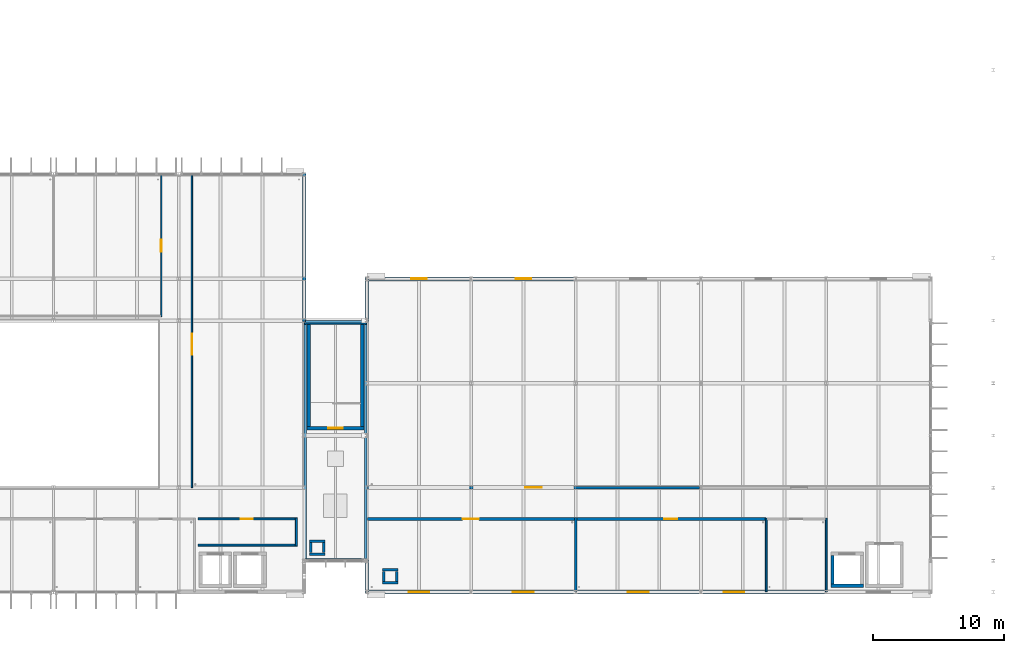
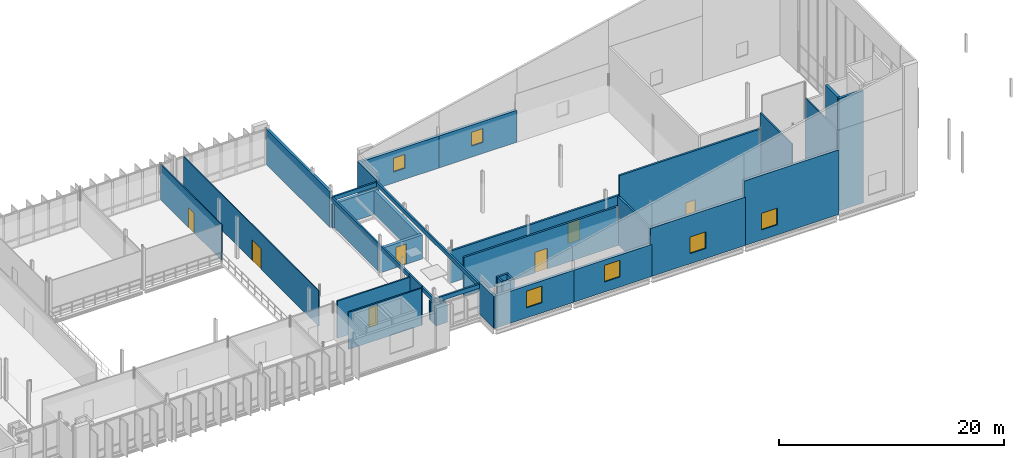
# One storey, part 34 of 59: 38 walls, 7 doors, 6 windows, 13 openings.
"""IFC4 building model written with IfcOpenShell, lengths in metres."""

import ifcopenshell
import ifcopenshell.guid

model = None  # the IFC model being written
_history = None  # IfcOwnerHistory: only IFC2X3 demands one
_inside = {}  # id of a spatial element -> (the spatial element, [elements in it])
_under = {}  # id of a project, library or spatial element -> (it, [spatial elements below it])
_declared = {}  # id of a project -> (the project, [libraries it declares])
_typed = {}  # id of a type object -> (the type object, [elements of that type])
_made_of = {}  # id of a material, layer set ... -> (it, [elements and type objects made of it])


def new_model(schema):
    """Start an empty IFC model of exactly this schema.

    Asked for "IFC4X3", IfcOpenShell would pick the latest addendum, in which some entities
    have other attributes; the version numbers below select the first issue.
    IFC2X3 requires an IfcOwnerHistory on every rooted entity: one is made here for all.
    """
    global model, _history
    if schema == "IFC4X3":
        model = ifcopenshell.file(schema_version=(4, 3, 0, 0))
    else:
        model = ifcopenshell.file(schema=schema)
    _inside.clear()
    _under.clear()
    _declared.clear()
    _typed.clear()
    _made_of.clear()
    _history = None
    if model.schema == "IFC2X3":
        org = make("IfcOrganization", Name="unknown")
        user = make(
            "IfcPersonAndOrganization",
            ThePerson=make("IfcPerson", FamilyName="unknown"),
            TheOrganization=org,
        )
        app = make(
            "IfcApplication",
            ApplicationDeveloper=org,
            Version="unknown",
            ApplicationFullName="unknown",
            ApplicationIdentifier="unknown",
        )
        _history = make(
            "IfcOwnerHistory",
            OwningUser=user,
            OwningApplication=app,
            ChangeAction="ADDED",
            CreationDate=0,
        )
    return model


def make(cls, **values):
    """One entity of the class cls with the attributes given. An attribute that is None is left unset."""
    return model.create_entity(
        cls, **{name: value for name, value in values.items() if value is not None}
    )


def rooted(cls, **values):
    """An entity with a GlobalId (a new one), such as an element, a storey or a relation."""
    return make(cls, GlobalId=ifcopenshell.guid.new(), OwnerHistory=_history, **values)


def si_unit(unit_type, name, prefix=None):
    """IfcSIUnit, for example si_unit("LENGTHUNIT", "METRE", prefix="MILLI")."""
    return make("IfcSIUnit", UnitType=unit_type, Prefix=prefix, Name=name)


def assignment(units):
    """IfcUnitAssignment: the units of a project."""
    return None if units is None else make("IfcUnitAssignment", Units=units)


def point(xyz):
    """IfcCartesianPoint."""
    return None if xyz is None else make("IfcCartesianPoint", Coordinates=xyz)


def direction(xyz):
    """IfcDirection."""
    return None if xyz is None else make("IfcDirection", DirectionRatios=xyz)


def frame(location, z_axis=None, x_axis=None):
    """IfcAxis2Placement3D, a coordinate frame: its origin and axes. An axis left out is left unset."""
    return make(
        "IfcAxis2Placement3D",
        Location=point(location),
        Axis=direction(z_axis),
        RefDirection=direction(x_axis),
    )


def frame_2d(location, x_axis=None):
    """IfcAxis2Placement2D, a coordinate frame in the plane: its origin and x axis."""
    return make(
        "IfcAxis2Placement2D", Location=point(location), RefDirection=direction(x_axis)
    )


def origin():
    """The frame at (0, 0, 0) with its axes left unset."""
    return frame((0.0, 0.0, 0.0))


def place(relative_to, where):
    """IfcLocalPlacement: puts the frame where relative to a parent placement (None: the world)."""
    return make(
        "IfcLocalPlacement", PlacementRelTo=relative_to, RelativePlacement=where
    )


def context(
    kind, dimensions, precision=None, world=None, true_north=None, identifier=None
):
    """IfcGeometricRepresentationContext, for example the 3D "Model" context."""
    return make(
        "IfcGeometricRepresentationContext",
        ContextIdentifier=identifier,
        ContextType=kind,
        CoordinateSpaceDimension=dimensions,
        Precision=precision,
        WorldCoordinateSystem=world,
        TrueNorth=true_north,
    )


def subcontext(parent, identifier, kind, view, scale=None):
    """IfcGeometricRepresentationSubContext, for example "Body" below "Model"."""
    return make(
        "IfcGeometricRepresentationSubContext",
        ContextIdentifier=identifier,
        ContextType=kind,
        ParentContext=parent,
        TargetScale=scale,
        TargetView=view,
    )


def project(units=None, contexts=None):
    """IfcProject with its units and contexts."""
    return rooted(
        "IfcProject",
        Name="project",
        RepresentationContexts=contexts,
        UnitsInContext=assignment(units),
    )


def spatial(cls, under=None, at=None, **own):
    """A site, building, storey or space (cls), placed at a placement, below another one or the project."""
    s = rooted(cls, ObjectPlacement=at, **own)
    if under is not None:
        _under.setdefault(under.id(), (under, []))[1].append(s)
    return s


def profile(cls, at=None, kind="AREA", **sizes):
    """A parametric profile (cls). Its sizes go by their IFC names, for example OverallWidth=200.0."""
    return make(cls, ProfileType=kind, Position=at, **sizes)


def rectangle(**sizes):
    """IfcRectangleProfileDef."""
    return profile("IfcRectangleProfileDef", **sizes)


def extrude(swept, where, along, depth):
    """IfcExtrudedAreaSolid: the profile swept, set in the frame where, extruded along a direction by depth."""
    return make(
        "IfcExtrudedAreaSolid",
        SweptArea=swept,
        Position=where,
        ExtrudedDirection=direction(along),
        Depth=depth,
    )


def shape(context_of_items, identifier, shape_type, items):
    """IfcShapeRepresentation: the items that make up one representation, for example the "Body"."""
    return make(
        "IfcShapeRepresentation",
        ContextOfItems=context_of_items,
        RepresentationIdentifier=identifier,
        RepresentationType=shape_type,
        Items=items,
    )


def material(Name=None, Category=None):
    """IfcMaterial."""
    return make("IfcMaterial", Name=Name, Category=Category)


def layer(
    of_material, thickness, ventilated=None, Name=None, Category=None, Priority=None
):
    """IfcMaterialLayer: one layer of a wall or slab, of a material (None: an air gap)."""
    return make(
        "IfcMaterialLayer",
        Material=of_material,
        LayerThickness=thickness,
        IsVentilated=ventilated,
        Name=Name,
        Category=Category,
        Priority=Priority,
    )


def layer_set(layers, Name=None):
    """IfcMaterialLayerSet."""
    return make("IfcMaterialLayerSet", MaterialLayers=layers, LayerSetName=Name)


def made_of(thing, what):
    """Note that an element or type object is made of a material, layer set ...; save() writes the relation."""
    if what is not None:
        _made_of.setdefault(what.id(), (what, []))[1].append(thing)
    return thing


def type_object(cls, material=None, **own):
    """A type object (cls), such as IfcWallType, which elements share."""
    return made_of(rooted(cls, **own), material)


def element(
    cls,
    number,
    at=None,
    inside=None,
    cuts=None,
    type_object=None,
    material=None,
    context=None,
    identifier="Body",
    shape_type=None,
    held_by="IfcProductDefinitionShape",
    body=None,
    shapes=None,
    **own,
):
    """One element of the class cls, such as IfcWall. Its Tag is "e" and its number.

    at: its placement. inside: the storey or other place that contains it. cuts: it is an
    opening in that element (IfcRelVoidsElement). A single representation is given by context,
    identifier, shape_type and body (its items); several are given by shapes. held_by: the class
    of the entity that holds the representations. save() writes the other relations.
    """
    e = rooted(cls, Tag="e%d" % number, ObjectPlacement=at, **own)
    if body is not None:
        shapes = [shape(context, identifier, shape_type, body)]
    if shapes is not None:
        e.Representation = make(held_by, Representations=shapes)
    if inside is not None:
        _inside.setdefault(inside.id(), (inside, []))[1].append(e)
    if cuts is not None:
        rooted(
            "IfcRelVoidsElement", RelatingBuildingElement=cuts, RelatedOpeningElement=e
        )
    if type_object is not None:
        _typed.setdefault(type_object.id(), (type_object, []))[1].append(e)
    return made_of(e, material)


def fill(opening, filler):
    """IfcRelFillsElement: the door or window that sits in an opening."""
    return rooted(
        "IfcRelFillsElement",
        RelatingOpeningElement=opening,
        RelatedBuildingElement=filler,
    )


def aggregate(whole, parts):
    """IfcRelAggregates: a whole, such as a stair, and the parts it consists of."""
    return rooted("IfcRelAggregates", RelatingObject=whole, RelatedObjects=parts)


def save(model, path):
    """Write the relations noted so far, then the file.

    IfcRelAggregates (storeys below a building ...), IfcRelContainedInSpatialStructure (elements
    in a storey), IfcRelDefinesByType, IfcRelAssociatesMaterial and IfcRelDeclares: one each for
    every whole, place, type object, material and project.
    """
    for whole, parts in _under.values():
        aggregate(whole, parts)
    for where, things in _inside.values():
        rooted(
            "IfcRelContainedInSpatialStructure",
            RelatedElements=things,
            RelatingStructure=where,
        )
    for kind, things in _typed.values():
        rooted("IfcRelDefinesByType", RelatedObjects=things, RelatingType=kind)
    for what, things in _made_of.values():
        rooted("IfcRelAssociatesMaterial", RelatedObjects=things, RelatingMaterial=what)
    for by, libraries in _declared.values():
        rooted("IfcRelDeclares", RelatingContext=by, RelatedDefinitions=libraries)
    model.write(path)


model = new_model("IFC4")

# Units and contexts
model_context = context("Model", 3, precision=1e-05, world=origin(), true_north=direction((0.0, 1.0)))
body_context = subcontext(model_context, "Body", "Model", "MODEL_VIEW")
ifc_project = project(units=[si_unit("LENGTHUNIT", "METRE"), si_unit("AREAUNIT", "SQUARE_METRE"), si_unit("VOLUMEUNIT", "CUBIC_METRE"), si_unit("PLANEANGLEUNIT", "RADIAN"), si_unit("MASSUNIT", "GRAM", prefix="KILO")], contexts=[model_context])

# Site, building, storey
site_placement = place(None, origin())
site = spatial("IfcSite", under=ifc_project, at=site_placement, CompositionType="ELEMENT")
building_placement = place(site_placement, origin())
building = spatial("IfcBuilding", under=site, at=building_placement, Name="Dunescarp Central Library", CompositionType="ELEMENT")
storey_placement = place(building_placement, frame((0.0, 0.0, 18.60009765625)))
storey = spatial("IfcBuildingStorey", under=building, at=storey_placement, Name="L04", CompositionType="ELEMENT", Elevation=18.60009765625)

# Wall
ifc_material_1 = material(Name="Gypsum plasterboard acoustic partition")
ifc_layer_1 = layer(ifc_material_1, 0.14990234375)
ifc_layer_set_1 = layer_set([ifc_layer_1], Name="Gypsum plasterboard acoustic partition")
wall_type_1 = type_object("IfcWallType", Name="ARC-PT-AC150", PredefinedType="PARTITIONING", material=ifc_layer_set_1)
wall_1_placement = place(storey_placement, frame((68.675048828125, 8.39990234375, 0.0), z_axis=(0.0, 0.0, 1.0), x_axis=(1.0, 0.0, 0.0)))
element("IfcWall", 1, at=wall_1_placement, inside=storey, type_object=wall_type_1, Name="L04 partition PT-L04-0225", PredefinedType="PARTITIONING", context=body_context, shape_type="SweptSolid", body=[
    extrude(rectangle(XDim=7.449951171875, YDim=0.14990234375, at=frame_2d((3.72509765625, 0.0))), origin(), (0.0, 0.0, 1.0), 4.02490234375),
])

# Wall, opening, door
wall_2_placement = place(storey_placement, frame((68.675048828125, 10.39990234375, 0.0), z_axis=(0.0, 0.0, 1.0), x_axis=(1.0, 0.0, 0.0)))
wall_2 = element("IfcWall", 2, at=wall_2_placement, inside=storey, type_object=wall_type_1, Name="L04 partition PT-L04-0226", PredefinedType="PARTITIONING", context=body_context, shape_type="SweptSolid", body=[
    extrude(rectangle(XDim=7.449951171875, YDim=0.14990234375, at=frame_2d((3.72509765625, 0.0))), origin(), (0.0, 0.0, 1.0), 4.02490234375),
])
opening_1_placement = place(wall_2_placement, frame((3.25, 0.0, 0.0)))
opening_1 = element("IfcOpeningElement", 3, at=opening_1_placement, cuts=wall_2, Name="Opening DR-L04-0092", PredefinedType="OPENING", context=body_context, shape_type="SweptSolid", body=[
    extrude(rectangle(XDim=0.949951171875, YDim=2.14990234375, at=frame_2d((0.47509765625, 1.074951171875))), frame((0.0, 0.0849609375, 0.0), z_axis=(0.0, -1.0, 0.0), x_axis=(1.0, 0.0, 0.0)), (0.0, 0.0, 1.0), 0.169921875),
])
ifc_material_2 = material(Name="Hardwood solid-core timber leaf", Category="wood")
door_type_1 = type_object("IfcDoorType", Name="ARC-DR-INT950", OperationType="NOTDEFINED", PredefinedType="DOOR", material=ifc_material_2)
door_1_placement = place(opening_1_placement, origin())
door_1 = element("IfcDoor", 4, at=door_1_placement, inside=storey, type_object=door_type_1, Name="L04 interior door DR-L04-0092", OperationType="SINGLE_SWING_RIGHT", OverallHeight=2.14990234375, OverallWidth=0.949951171875, PredefinedType="DOOR", context=body_context, shape_type="SweptSolid", body=[
    extrude(rectangle(XDim=0.949951171875, YDim=2.14990234375, at=frame_2d((0.47509765625, 1.074951171875))), frame((0.0, 0.02490234375, 0.0), z_axis=(0.0, -1.0, 0.0), x_axis=(1.0, 0.0, 0.0)), (0.0, 0.0, 1.0), 0.050048828125),
])
fill(opening_1, door_1)

# Wall
wall_3_placement = place(storey_placement, frame((76.199951171875, 8.324951171875, 0.0), z_axis=(0.0, 0.0, 1.0), x_axis=(0.0, 1.0, 0.0)))
element("IfcWall", 5, at=wall_3_placement, inside=storey, type_object=wall_type_1, Name="L04 partition PT-L04-0227", PredefinedType="PARTITIONING", context=body_context, shape_type="SweptSolid", body=[
    extrude(rectangle(XDim=2.150146484375, YDim=0.14990234375, at=frame_2d((1.0751953125, 0.0))), origin(), (0.0, 0.0, 1.0), 4.27978515625),
])

# Wall, opening, door
ifc_material_3 = material(Name="Concrete C35/45", Category="concrete")
ifc_layer_2 = layer(ifc_material_3, 0.199951171875)
ifc_layer_set_2 = layer_set([ifc_layer_2], Name="Concrete C35/45")
wall_type_2 = type_object("IfcWallType", Name="ARC-PT-FIRE200", PredefinedType="PARTITIONING", material=ifc_layer_set_2)
wall_4_placement = place(storey_placement, frame((81.639892578125, 10.39990234375, 0.0), z_axis=(0.0, 0.0, 1.0), x_axis=(1.0, 0.0, 0.0)))
wall_4 = element("IfcWall", 6, at=wall_4_placement, inside=storey, type_object=wall_type_2, Name="L04 partition PT-L04-0302", PredefinedType="PARTITIONING", context=body_context, shape_type="SweptSolid", body=[
    extrude(rectangle(XDim=15.860107421875, YDim=0.199951171875, at=frame_2d((7.93017578125, 0.0))), origin(), (0.0, 0.0, 1.0), 4.241943359375),
])
opening_2_placement = place(wall_4_placement, frame((7.304931640625, 0.0, 0.0)))
opening_2 = element("IfcOpeningElement", 7, at=opening_2_placement, cuts=wall_4, Name="Opening DR-L04-0128", PredefinedType="OPENING", context=body_context, shape_type="SweptSolid", body=[
    extrude(rectangle(XDim=1.25, YDim=2.25, at=frame_2d((0.625, 1.125))), frame((0.0, 0.10986328125, 0.0), z_axis=(0.0, -1.0, 0.0), x_axis=(1.0, 0.0, 0.0)), (0.0, 0.0, 1.0), 0.219970703125),
])
ifc_material_4 = material(Name="Galvanised steel FD120S", Category="steel")
door_type_2 = type_object("IfcDoorType", Name="ARC-DR-VAULT1200", OperationType="NOTDEFINED", PredefinedType="DOOR", material=ifc_material_4)
door_2_placement = place(opening_2_placement, origin())
door_2 = element("IfcDoor", 8, at=door_2_placement, inside=storey, type_object=door_type_2, Name="L04 interior door DR-L04-0128", OperationType="SINGLE_SWING_LEFT", OverallHeight=2.25, OverallWidth=1.25, PredefinedType="DOOR", context=body_context, shape_type="SweptSolid", body=[
    extrude(rectangle(XDim=1.25, YDim=2.25, at=frame_2d((0.625, 1.125))), frame((0.0, 0.02490234375, 0.0), z_axis=(0.0, -1.0, 0.0), x_axis=(1.0, 0.0, 0.0)), (0.0, 0.0, 1.0), 0.050048828125),
])
fill(opening_2, door_2)

# Wall
wall_5_placement = place(storey_placement, frame((97.60009765625, 4.840087890625, 0.0), z_axis=(0.0, 0.0, 1.0), x_axis=(0.0, 1.0, 0.0)))
element("IfcWall", 9, at=wall_5_placement, inside=storey, type_object=wall_type_2, Name="L04 partition PT-L04-0303", PredefinedType="PARTITIONING", context=body_context, shape_type="SweptSolid", body=[
    extrude(rectangle(XDim=5.659912109375, YDim=0.199951171875, at=frame_2d((2.830078125, 0.0))), origin(), (0.0, 0.0, 1.0), 5.2490234375),
])

# Wall, opening, door
wall_6_placement = place(storey_placement, frame((97.60009765625, 10.39990234375, 0.0), z_axis=(0.0, 0.0, 1.0), x_axis=(1.0, 0.0, 0.0)))
wall_6 = element("IfcWall", 10, at=wall_6_placement, inside=storey, type_object=wall_type_2, Name="L04 partition PT-L04-0304", PredefinedType="PARTITIONING", context=body_context, shape_type="SweptSolid", body=[
    extrude(rectangle(XDim=14.599853515625, YDim=0.199951171875, at=frame_2d((7.2998046875, 0.0))), origin(), (0.0, 0.0, 1.0), 7.531005859375),
])
opening_3_placement = place(wall_6_placement, frame((6.800048828125, 0.0, 0.0)))
opening_3 = element("IfcOpeningElement", 11, at=opening_3_placement, cuts=wall_6, Name="Opening DR-L04-0129", PredefinedType="OPENING", context=body_context, shape_type="SweptSolid", body=[
    extrude(rectangle(XDim=1.0, YDim=2.199951171875, at=frame_2d((0.5, 1.10009765625))), frame((0.0, 0.10986328125, 0.0), z_axis=(0.0, -1.0, 0.0), x_axis=(1.0, 0.0, 0.0)), (0.0, 0.0, 1.0), 0.219970703125),
])
door_type_3 = type_object("IfcDoorType", Name="ARC-DR-INT1000", OperationType="NOTDEFINED", PredefinedType="DOOR", material=ifc_material_2)
door_3_placement = place(opening_3_placement, origin())
door_3 = element("IfcDoor", 12, at=door_3_placement, inside=storey, type_object=door_type_3, Name="L04 interior door DR-L04-0129", OperationType="SINGLE_SWING_RIGHT", OverallHeight=2.199951171875, OverallWidth=1.0, PredefinedType="DOOR", context=body_context, shape_type="SweptSolid", body=[
    extrude(rectangle(XDim=1.0, YDim=2.199951171875, at=frame_2d((0.5, 1.10009765625))), frame((0.0, 0.02490234375, 0.0), z_axis=(0.0, -1.0, 0.0), x_axis=(1.0, 0.0, 0.0)), (0.0, 0.0, 1.0), 0.050048828125),
])
fill(opening_3, door_3)

wall_7_placement = place(storey_placement, frame((81.639892578125, 12.800048828125, 0.0), z_axis=(0.0, 0.0, 1.0), x_axis=(1.0, 0.0, 0.0)))
wall_7 = element("IfcWall", 13, at=wall_7_placement, inside=storey, type_object=wall_type_2, Name="L04 partition PT-L04-0305", PredefinedType="PARTITIONING", context=body_context, shape_type="SweptSolid", body=[
    extrude(rectangle(XDim=25.460205078125, YDim=0.199951171875, at=frame_2d((12.72998046875, 0.0))), origin(), (0.0, 0.0, 1.0), 3.470947265625),
])
opening_4_placement = place(wall_7_placement, frame((12.10498046875, 0.0, 0.0)))
opening_4 = element("IfcOpeningElement", 14, at=opening_4_placement, cuts=wall_7, Name="Opening DR-L04-0130", PredefinedType="OPENING", context=body_context, shape_type="SweptSolid", body=[
    extrude(rectangle(XDim=1.25, YDim=2.25, at=frame_2d((0.625, 1.125))), frame((0.0, 0.10986328125, 0.0), z_axis=(0.0, -1.0, 0.0), x_axis=(1.0, 0.0, 0.0)), (0.0, 0.0, 1.0), 0.219970703125),
])
door_4_placement = place(opening_4_placement, origin())
door_4 = element("IfcDoor", 15, at=door_4_placement, inside=storey, type_object=door_type_2, Name="L04 interior door DR-L04-0130", OperationType="SINGLE_SWING_LEFT", OverallHeight=2.25, OverallWidth=1.25, PredefinedType="DOOR", context=body_context, shape_type="SweptSolid", body=[
    extrude(rectangle(XDim=1.25, YDim=2.25, at=frame_2d((0.625, 1.125))), frame((0.0, 0.02490234375, 0.0), z_axis=(0.0, -1.0, 0.0), x_axis=(1.0, 0.0, 0.0)), (0.0, 0.0, 1.0), 0.050048828125),
])
fill(opening_4, door_4)

ifc_material_5 = material(Name="Solar-control laminated double glazing", Category="glass")
ifc_layer_3 = layer(ifc_material_5, 0.10009765625)
ifc_layer_set_3 = layer_set([ifc_layer_3], Name="Solar-control laminated double glazing")
wall_type_3 = type_object("IfcWallType", Name="ARC-PT-GLZ100", PredefinedType="MOVABLE", material=ifc_layer_set_3)
wall_8_placement = place(storey_placement, frame((68.199951171875, 12.800048828125, 0.0), z_axis=(0.0, 0.0, 1.0), x_axis=(0.0, 1.0, 0.0)))
wall_8 = element("IfcWall", 16, at=wall_8_placement, inside=storey, type_object=wall_type_3, Name="L04 partition PT-L04-0229", PredefinedType="MOVABLE", context=body_context, shape_type="SweptSolid", body=[
    extrude(rectangle(XDim=23.9599609375, YDim=0.10009765625, at=frame_2d((11.97998046875, 0.0))), origin(), (0.0, 0.0, 1.0), 3.85498046875),
])
opening_5_placement = place(wall_8_placement, frame((10.179931640625, 0.0, 0.0)))
opening_5 = element("IfcOpeningElement", 17, at=opening_5_placement, cuts=wall_8, Name="Opening DR-L04-0094", PredefinedType="OPENING", context=body_context, shape_type="SweptSolid", body=[
    extrude(rectangle(XDim=1.60009765625, YDim=2.25, at=frame_2d((0.800048828125, 1.125))), frame((0.0, 0.06005859375, 0.0), z_axis=(0.0, -1.0, 0.0), x_axis=(1.0, 0.0, 0.0)), (0.0, 0.0, 1.0), 0.1201171875),
])
ifc_material_6 = material(Name="Marine-grade anodised aluminium 6063-T6", Category="aluminium")
door_type_4 = type_object("IfcDoorType", Name="ARC-DR-DBL1600", OperationType="DOUBLE_DOOR_SINGLE_SWING", PredefinedType="DOOR", material=ifc_material_6)
door_5_placement = place(opening_5_placement, origin())
door_5 = element("IfcDoor", 18, at=door_5_placement, inside=storey, type_object=door_type_4, Name="L04 interior door DR-L04-0094", OperationType="DOUBLE_DOOR_SINGLE_SWING", OverallHeight=2.25, OverallWidth=1.60009765625, PredefinedType="DOOR", context=body_context, shape_type="SweptSolid", body=[
    extrude(rectangle(XDim=1.60009765625, YDim=2.25, at=frame_2d((0.800048828125, 1.125))), frame((0.0, 0.02490234375, 0.0), z_axis=(0.0, -1.0, 0.0), x_axis=(1.0, 0.0, 0.0)), (0.0, 0.0, 1.0), 0.050048828125),
])
fill(opening_5, door_5)

wall_9_placement = place(storey_placement, frame((65.85009765625, 25.89990234375, 0.0), z_axis=(0.0, 0.0, 1.0), x_axis=(0.0, 1.0, 0.0)))
wall_9 = element("IfcWall", 19, at=wall_9_placement, inside=storey, type_object=wall_type_3, Name="L04 partition PT-L04-0234", PredefinedType="MOVABLE", context=body_context, shape_type="SweptSolid", body=[
    extrude(rectangle(XDim=10.860107421875, YDim=0.10009765625, at=frame_2d((5.43017578125, 0.0))), origin(), (0.0, 0.0, 1.0), 3.85498046875),
])
opening_6_placement = place(wall_9_placement, frame((4.955078125, 0.0, 0.0)))
opening_6 = element("IfcOpeningElement", 20, at=opening_6_placement, cuts=wall_9, Name="Opening DR-L04-0096", PredefinedType="OPENING", context=body_context, shape_type="SweptSolid", body=[
    extrude(rectangle(XDim=0.949951171875, YDim=2.14990234375, at=frame_2d((0.47509765625, 1.074951171875))), frame((0.0, 0.06005859375, 0.0), z_axis=(0.0, -1.0, 0.0), x_axis=(1.0, 0.0, 0.0)), (0.0, 0.0, 1.0), 0.1201171875),
])
door_6_placement = place(opening_6_placement, origin())
door_6 = element("IfcDoor", 21, at=door_6_placement, inside=storey, type_object=door_type_1, Name="L04 interior door DR-L04-0096", OperationType="SINGLE_SWING_RIGHT", OverallHeight=2.14990234375, OverallWidth=0.949951171875, PredefinedType="DOOR", context=body_context, shape_type="SweptSolid", body=[
    extrude(rectangle(XDim=0.949951171875, YDim=2.14990234375, at=frame_2d((0.47509765625, 1.074951171875))), frame((0.0, 0.02490234375, 0.0), z_axis=(0.0, -1.0, 0.0), x_axis=(1.0, 0.0, 0.0)), (0.0, 0.0, 1.0), 0.050048828125),
])
fill(opening_6, door_6)

# Walls
ifc_material_7 = material(Name="Autoclaved aerated concrete block", Category="concrete")
ifc_layer_4 = layer(ifc_material_7, 0.139892578125)
ifc_layer_set_4 = layer_set([ifc_layer_4], Name="Autoclaved aerated concrete block")
wall_type_4 = type_object("IfcWallType", Name="ARC-PT-WET140", PredefinedType="PARTITIONING", material=ifc_layer_set_4)
for number, where, z_axis, x_axis, name in (
    (22, (112.199951171875, 4.840087890625, 0.0), (0.0, 0.0, 1.0), (0.0, 1.0, 0.0), "L04 partition PT-L04-0300"),
    (23, (116.800048828125, 4.840087890625, 0.0), (0.0, 0.0, 1.0), (0.0, 1.0, 0.0), "L04 partition PT-L04-0301"),
):
    element("IfcWall", number, at=place(storey_placement, frame(where, z_axis=z_axis, x_axis=x_axis)), inside=storey, type_object=wall_type_4, Name=name, PredefinedType="PARTITIONING", context=body_context, shape_type="SweptSolid", body=[
        extrude(rectangle(XDim=5.6298828125, YDim=0.139892578125, at=frame_2d((2.81494140625, 0.0))), origin(), (0.0, 0.0, 1.0), 9.159912109375),
    ])
ifc_material_8 = material(Name="Glass-fibre reinforced concrete GRC", Category="concrete")
ifc_layer_5 = layer(ifc_material_8, 0.260009765625)
ifc_layer_set_5 = layer_set([ifc_layer_5], Name="Glass-fibre reinforced concrete GRC")
wall_type_5 = type_object("IfcWallType", Name="ARC-WL-GRC260", PredefinedType="SOLIDWALL", material=ifc_layer_set_5)
wall_10_placement = place(storey_placement, frame((76.800048828125, 36.885009765625, 0.0), z_axis=(0.0, 0.0, 1.0), x_axis=(0.0, -1.0, 0.0)))
element("IfcWall", 24, at=wall_10_placement, inside=storey, type_object=wall_type_5, Name="L04 external wall EW-V2-058", PredefinedType="SOLIDWALL", context=body_context, shape_type="SweptSolid", body=[
    extrude(rectangle(XDim=11.3701171875, YDim=0.260009765625, at=frame_2d((5.68505859375, 0.0))), origin(), (0.0, 0.0, 1.0), 3.85498046875),
])
wall_11_placement = place(storey_placement, frame((81.60009765625, 4.715087890625, 0.0), z_axis=(0.0, 0.0, 1.0), x_axis=(0.0, 1.0, 0.0)))
element("IfcWall", 25, at=wall_11_placement, inside=storey, type_object=wall_type_5, Name="L04 external wall EW-V3-097", PredefinedType="SOLIDWALL", context=body_context, shape_type="SweptSolid", body=[
    extrude(rectangle(XDim=2.56982421875, YDim=0.260009765625, at=frame_2d((1.284912109375, 0.0))), origin(), (0.0, 0.0, 1.0), 3.470947265625),
])
wall_12_placement = place(storey_placement, frame((81.60009765625, 25.514892578125, 0.0), z_axis=(0.0, 0.0, 1.0), x_axis=(0.0, 1.0, 0.0)))
element("IfcWall", 26, at=wall_12_placement, inside=storey, type_object=wall_type_5, Name="L04 external wall EW-V3-098", PredefinedType="SOLIDWALL", context=body_context, shape_type="SweptSolid", body=[
    extrude(rectangle(XDim=3.3701171875, YDim=0.260009765625, at=frame_2d((1.68505859375, 0.0))), origin(), (0.0, 0.0, 1.0), 3.470947265625),
])

# Wall, opening, window
ifc_layer_6 = layer(ifc_material_8, 0.280029296875)
ifc_layer_set_6 = layer_set([ifc_layer_6], Name="Glass-fibre reinforced concrete GRC")
wall_type_6 = type_object("IfcWallType", Name="ARC-WL-GRC280", PredefinedType="SOLIDWALL", material=ifc_layer_set_6)
wall_13_placement = place(storey_placement, frame((89.68505859375, 4.800048828125, 0.0), z_axis=(0.0, 0.0, 1.0), x_axis=(-1.0, 0.0, 0.0)))
wall_13 = element("IfcWall", 27, at=wall_13_placement, inside=storey, type_object=wall_type_6, Name="L04 external wall EW-V3-087", PredefinedType="SOLIDWALL", context=body_context, shape_type="SweptSolid", body=[
    extrude(rectangle(XDim=8.170166015625, YDim=0.280029296875, at=frame_2d((4.0849609375, 0.0))), origin(), (0.0, 0.0, 1.0), 3.470947265625),
])
opening_7_placement = place(wall_13_placement, frame((3.284912109375, 0.0, 1.10009765625)))
opening_7 = element("IfcOpeningElement", 28, at=opening_7_placement, cuts=wall_13, Name="Opening WN-018", PredefinedType="OPENING", context=body_context, shape_type="SweptSolid", body=[
    extrude(rectangle(XDim=1.60009765625, YDim=1.800048828125, at=frame_2d((0.800048828125, 0.89990234375))), frame((0.0, 0.14990234375, 0.0), z_axis=(0.0, -1.0, 0.0), x_axis=(1.0, 0.0, 0.0)), (0.0, 0.0, 1.0), 0.300048828125),
])
window_type_1 = type_object("IfcWindowType", Name="ARC-WN-1600X1800", PartitioningType="SINGLE_PANEL", PredefinedType="WINDOW", material=ifc_material_5)
window_1_placement = place(opening_7_placement, origin())
window_1 = element("IfcWindow", 29, at=window_1_placement, inside=storey, type_object=window_type_1, Name="L04 window WN-018", OverallHeight=1.800048828125, OverallWidth=1.60009765625, PartitioningType="SINGLE_PANEL", PredefinedType="WINDOW", context=body_context, shape_type="SweptSolid", body=[
    extrude(rectangle(XDim=1.60009765625, YDim=1.800048828125, at=frame_2d((0.800048828125, 0.89990234375))), frame((0.0, 0.030029296875, 0.0), z_axis=(0.0, -1.0, 0.0), x_axis=(1.0, 0.0, 0.0)), (0.0, 0.0, 1.0), 0.06005859375),
])
fill(opening_7, window_1)

wall_14_placement = place(storey_placement, frame((97.68505859375, 4.800048828125, 0.0), z_axis=(0.0, 0.0, 1.0), x_axis=(-1.0, 0.0, 0.0)))
wall_14 = element("IfcWall", 30, at=wall_14_placement, inside=storey, type_object=wall_type_6, Name="L04 external wall EW-V3-088", PredefinedType="SOLIDWALL", context=body_context, shape_type="SweptSolid", body=[
    extrude(rectangle(XDim=8.170166015625, YDim=0.280029296875, at=frame_2d((4.0849609375, 0.0))), origin(), (0.0, 0.0, 1.0), 3.470947265625),
])
opening_8_placement = place(wall_14_placement, frame((3.284912109375, 0.0, 1.10009765625)))
opening_8 = element("IfcOpeningElement", 31, at=opening_8_placement, cuts=wall_14, Name="Opening WN-019", PredefinedType="OPENING", context=body_context, shape_type="SweptSolid", body=[
    extrude(rectangle(XDim=1.60009765625, YDim=1.800048828125, at=frame_2d((0.800048828125, 0.89990234375))), frame((0.0, 0.14990234375, 0.0), z_axis=(0.0, -1.0, 0.0), x_axis=(1.0, 0.0, 0.0)), (0.0, 0.0, 1.0), 0.300048828125),
])
window_2_placement = place(opening_8_placement, origin())
window_2 = element("IfcWindow", 32, at=window_2_placement, inside=storey, type_object=window_type_1, Name="L04 window WN-019", OverallHeight=1.800048828125, OverallWidth=1.60009765625, PartitioningType="SINGLE_PANEL", PredefinedType="WINDOW", context=body_context, shape_type="SweptSolid", body=[
    extrude(rectangle(XDim=1.60009765625, YDim=1.800048828125, at=frame_2d((0.800048828125, 0.89990234375))), frame((0.0, 0.030029296875, 0.0), z_axis=(0.0, -1.0, 0.0), x_axis=(1.0, 0.0, 0.0)), (0.0, 0.0, 1.0), 0.06005859375),
])
fill(opening_8, window_2)

wall_15_placement = place(storey_placement, frame((107.284912109375, 4.800048828125, 0.0), z_axis=(0.0, 0.0, 1.0), x_axis=(-1.0, 0.0, 0.0)))
wall_15 = element("IfcWall", 33, at=wall_15_placement, inside=storey, type_object=wall_type_6, Name="L04 external wall EW-V3-089", PredefinedType="SOLIDWALL", context=body_context, shape_type="SweptSolid", body=[
    extrude(rectangle(XDim=9.77001953125, YDim=0.280029296875, at=frame_2d((4.885009765625, 0.0))), origin(), (0.0, 0.0, 1.0), 5.2490234375),
])
opening_9_placement = place(wall_15_placement, frame((4.0849609375, 0.0, 1.10009765625)))
opening_9 = element("IfcOpeningElement", 34, at=opening_9_placement, cuts=wall_15, Name="Opening WN-020", PredefinedType="OPENING", context=body_context, shape_type="SweptSolid", body=[
    extrude(rectangle(XDim=1.60009765625, YDim=1.800048828125, at=frame_2d((0.800048828125, 0.89990234375))), frame((0.0, 0.14990234375, 0.0), z_axis=(0.0, -1.0, 0.0), x_axis=(1.0, 0.0, 0.0)), (0.0, 0.0, 1.0), 0.300048828125),
])
window_3_placement = place(opening_9_placement, origin())
window_3 = element("IfcWindow", 35, at=window_3_placement, inside=storey, type_object=window_type_1, Name="L04 window WN-020", OverallHeight=1.800048828125, OverallWidth=1.60009765625, PartitioningType="SINGLE_PANEL", PredefinedType="WINDOW", context=body_context, shape_type="SweptSolid", body=[
    extrude(rectangle(XDim=1.60009765625, YDim=1.800048828125, at=frame_2d((0.800048828125, 0.89990234375))), frame((0.0, 0.030029296875, 0.0), z_axis=(0.0, -1.0, 0.0), x_axis=(1.0, 0.0, 0.0)), (0.0, 0.0, 1.0), 0.06005859375),
])
fill(opening_9, window_3)

wall_16_placement = place(storey_placement, frame((116.885009765625, 4.800048828125, 0.0), z_axis=(0.0, 0.0, 1.0), x_axis=(-1.0, 0.0, 0.0)))
wall_16 = element("IfcWall", 36, at=wall_16_placement, inside=storey, type_object=wall_type_6, Name="L04 external wall EW-V3-090", PredefinedType="SOLIDWALL", context=body_context, shape_type="SweptSolid", body=[
    extrude(rectangle(XDim=9.77001953125, YDim=0.280029296875, at=frame_2d((4.885009765625, 0.0))), origin(), (0.0, 0.0, 1.0), 7.02685546875),
])
opening_10_placement = place(wall_16_placement, frame((6.35009765625, 0.0, 1.10009765625)))
opening_10 = element("IfcOpeningElement", 37, at=opening_10_placement, cuts=wall_16, Name="Opening WN-021", PredefinedType="OPENING", context=body_context, shape_type="SweptSolid", body=[
    extrude(rectangle(XDim=1.60009765625, YDim=1.800048828125, at=frame_2d((0.800048828125, 0.89990234375))), frame((0.0, 0.14990234375, 0.0), z_axis=(0.0, -1.0, 0.0), x_axis=(1.0, 0.0, 0.0)), (0.0, 0.0, 1.0), 0.300048828125),
])
window_4_placement = place(opening_10_placement, origin())
window_4 = element("IfcWindow", 38, at=window_4_placement, inside=storey, type_object=window_type_1, Name="L04 window WN-021", OverallHeight=1.800048828125, OverallWidth=1.60009765625, PartitioningType="SINGLE_PANEL", PredefinedType="WINDOW", context=body_context, shape_type="SweptSolid", body=[
    extrude(rectangle(XDim=1.60009765625, YDim=1.800048828125, at=frame_2d((0.800048828125, 0.89990234375))), frame((0.0, 0.030029296875, 0.0), z_axis=(0.0, -1.0, 0.0), x_axis=(1.0, 0.0, 0.0)), (0.0, 0.0, 1.0), 0.06005859375),
])
fill(opening_10, window_4)

wall_17_placement = place(storey_placement, frame((81.514892578125, 28.800048828125, 0.0), z_axis=(0.0, 0.0, 1.0), x_axis=(1.0, 0.0, 0.0)))
wall_17 = element("IfcWall", 39, at=wall_17_placement, inside=storey, type_object=wall_type_6, Name="L04 external wall EW-V3-092", PredefinedType="SOLIDWALL", context=body_context, shape_type="SweptSolid", body=[
    extrude(rectangle(XDim=8.170166015625, YDim=0.280029296875, at=frame_2d((4.0849609375, 0.0))), origin(), (0.0, 0.0, 1.0), 3.470947265625),
])
opening_11_placement = place(wall_17_placement, frame((3.485107421875, 0.0, 1.199951171875)))
opening_11 = element("IfcOpeningElement", 40, at=opening_11_placement, cuts=wall_17, Name="Opening WN-023", PredefinedType="OPENING", context=body_context, shape_type="SweptSolid", body=[
    extrude(rectangle(XDim=1.199951171875, YDim=1.5, at=frame_2d((0.60009765625, 0.75))), frame((0.0, 0.14990234375, 0.0), z_axis=(0.0, -1.0, 0.0), x_axis=(1.0, 0.0, 0.0)), (0.0, 0.0, 1.0), 0.300048828125),
])
window_type_2 = type_object("IfcWindowType", Name="ARC-WN-1200X1500", PartitioningType="SINGLE_PANEL", PredefinedType="WINDOW", material=ifc_material_5)
window_5_placement = place(opening_11_placement, origin())
window_5 = element("IfcWindow", 41, at=window_5_placement, inside=storey, type_object=window_type_2, Name="L04 window WN-023", OverallHeight=1.5, OverallWidth=1.199951171875, PartitioningType="SINGLE_PANEL", PredefinedType="WINDOW", context=body_context, shape_type="SweptSolid", body=[
    extrude(rectangle(XDim=1.199951171875, YDim=1.5, at=frame_2d((0.60009765625, 0.75))), frame((0.0, 0.030029296875, 0.0), z_axis=(0.0, -1.0, 0.0), x_axis=(1.0, 0.0, 0.0)), (0.0, 0.0, 1.0), 0.06005859375),
])
fill(opening_11, window_5)

wall_18_placement = place(storey_placement, frame((89.514892578125, 28.800048828125, 0.0), z_axis=(0.0, 0.0, 1.0), x_axis=(1.0, 0.0, 0.0)))
wall_18 = element("IfcWall", 42, at=wall_18_placement, inside=storey, type_object=wall_type_6, Name="L04 external wall EW-V3-093", PredefinedType="SOLIDWALL", context=body_context, shape_type="SweptSolid", body=[
    extrude(rectangle(XDim=8.170166015625, YDim=0.280029296875, at=frame_2d((4.0849609375, 0.0))), origin(), (0.0, 0.0, 1.0), 3.470947265625),
])
opening_12_placement = place(wall_18_placement, frame((3.485107421875, 0.0, 1.199951171875)))
opening_12 = element("IfcOpeningElement", 43, at=opening_12_placement, cuts=wall_18, Name="Opening WN-024", PredefinedType="OPENING", context=body_context, shape_type="SweptSolid", body=[
    extrude(rectangle(XDim=1.199951171875, YDim=1.5, at=frame_2d((0.60009765625, 0.75))), frame((0.0, 0.14990234375, 0.0), z_axis=(0.0, -1.0, 0.0), x_axis=(1.0, 0.0, 0.0)), (0.0, 0.0, 1.0), 0.300048828125),
])
window_6_placement = place(opening_12_placement, origin())
window_6 = element("IfcWindow", 44, at=window_6_placement, inside=storey, type_object=window_type_2, Name="L04 window WN-024", OverallHeight=1.5, OverallWidth=1.199951171875, PartitioningType="SINGLE_PANEL", PredefinedType="WINDOW", context=body_context, shape_type="SweptSolid", body=[
    extrude(rectangle(XDim=1.199951171875, YDim=1.5, at=frame_2d((0.60009765625, 0.75))), frame((0.0, 0.030029296875, 0.0), z_axis=(0.0, -1.0, 0.0), x_axis=(1.0, 0.0, 0.0)), (0.0, 0.0, 1.0), 0.06005859375),
])
fill(opening_12, window_6)

# Walls
ifc_layer_7 = layer(ifc_material_3, 0.179931640625)
ifc_layer_set_7 = layer_set([ifc_layer_7], Name="Concrete C35/45")
wall_type_7 = type_object("IfcWallType", Name="ARC-WL-PAR180", PredefinedType="PARAPET", material=ifc_layer_set_7)
for number, where, z_axis, x_axis, name in (
    (45, (81.510009765625, 7.2900390625, 2.849853515625), (0.0, 0.0, 1.0), (-1.0, 0.0, 0.0), "L04 maintenance roof parapet PAR-L04-001"),
    (46, (76.889892578125, 25.510009765625, 2.849853515625), (0.0, 0.0, 1.0), (1.0, 0.0, 0.0), "L04 maintenance roof parapet PAR-L04-002"),
):
    element("IfcWall", number, at=place(storey_placement, frame(where, z_axis=z_axis, x_axis=x_axis)), inside=storey, type_object=wall_type_7, Name=name, PredefinedType="PARAPET", context=body_context, shape_type="SweptSolid", body=[
        extrude(rectangle(XDim=4.6201171875, YDim=0.179931640625, at=frame_2d((2.31005859375, 0.0))), origin(), (0.0, 0.0, 1.0), 0.449951171875),
    ])
for number, where, z_axis, x_axis, name in (
    (47, (76.889892578125, 7.2900390625, 2.849853515625), (0.0, 0.0, 1.0), (0.0, 1.0, 0.0), "L04 maintenance roof parapet PAR-L04-003"),
    (48, (81.510009765625, 25.510009765625, 2.849853515625), (0.0, 0.0, 1.0), (0.0, -1.0, 0.0), "L04 maintenance roof parapet PAR-L04-004"),
):
    element("IfcWall", number, at=place(storey_placement, frame(where, z_axis=z_axis, x_axis=x_axis)), inside=storey, type_object=wall_type_7, Name=name, PredefinedType="PARAPET", context=body_context, shape_type="SweptSolid", body=[
        extrude(rectangle(XDim=18.219970703125, YDim=0.179931640625, at=frame_2d((9.10986328125, 0.0))), origin(), (0.0, 0.0, 1.0), 0.449951171875),
    ])
ifc_layer_8 = layer(ifc_material_3, 0.199951171875)
ifc_layer_set_8 = layer_set([ifc_layer_8], Name="Concrete C35/45")
wall_type_8 = type_object("IfcWallType", Name="ARC-WL-RISER200", PredefinedType="PARTITIONING", material=ifc_layer_set_8)
for number, where, z_axis, x_axis, name in (
    (49, (84.0, 5.5, 0.0), (0.0, 0.0, 1.0), (-1.0, 0.0, 0.0), "L04 V3 duct shaft wall S"),
    (50, (82.800048828125, 6.5, 0.0), (0.0, 0.0, 1.0), (1.0, 0.0, 0.0), "L04 V3 duct shaft wall N"),
):
    element("IfcWall", number, at=place(storey_placement, frame(where, z_axis=z_axis, x_axis=x_axis)), inside=storey, type_object=wall_type_8, Name=name, PredefinedType="PARTITIONING", context=body_context, shape_type="SweptSolid", body=[
        extrude(rectangle(XDim=1.199951171875, YDim=0.199951171875, at=frame_2d((0.60009765625, 0.0))), origin(), (0.0, 0.0, 1.0), 4.060791015625),
    ])
for number, where, z_axis, x_axis, name in (
    (51, (82.89990234375, 5.6201171875, 0.0), (0.0, 0.0, 1.0), (0.0, 1.0, 0.0), "L04 V3 duct shaft wall W"),
    (52, (83.89990234375, 6.3798828125, 0.0), (0.0, 0.0, 1.0), (0.0, -1.0, 0.0), "L04 V3 duct shaft wall E"),
):
    element("IfcWall", number, at=place(storey_placement, frame(where, z_axis=z_axis, x_axis=x_axis)), inside=storey, type_object=wall_type_8, Name=name, PredefinedType="PARTITIONING", context=body_context, shape_type="SweptSolid", body=[
        extrude(rectangle(XDim=0.759765625, YDim=0.199951171875, at=frame_2d((0.3798828125, 0.0))), origin(), (0.0, 0.0, 1.0), 4.060791015625),
    ])
for number, where, z_axis, x_axis, name in (
    (53, (78.39990234375, 7.699951171875, 0.0), (0.0, 0.0, 1.0), (-1.0, 0.0, 0.0), "L04 GL2 duct shaft wall S"),
    (54, (77.199951171875, 8.699951171875, 0.0), (0.0, 0.0, 1.0), (1.0, 0.0, 0.0), "L04 GL2 duct shaft wall N"),
):
    element("IfcWall", number, at=place(storey_placement, frame(where, z_axis=z_axis, x_axis=x_axis)), inside=storey, type_object=wall_type_8, Name=name, PredefinedType="PARTITIONING", context=body_context, shape_type="SweptSolid", body=[
        extrude(rectangle(XDim=1.199951171875, YDim=0.199951171875, at=frame_2d((0.60009765625, 0.0))), origin(), (0.0, 0.0, 1.0), 2.10498046875),
    ])
for number, where, z_axis, x_axis, name in (
    (55, (77.300048828125, 7.820068359375, 0.0), (0.0, 0.0, 1.0), (0.0, 1.0, 0.0), "L04 GL2 duct shaft wall W"),
    (56, (78.300048828125, 8.580078125, 0.0), (0.0, 0.0, 1.0), (0.0, -1.0, 0.0), "L04 GL2 duct shaft wall E"),
):
    element("IfcWall", number, at=place(storey_placement, frame(where, z_axis=z_axis, x_axis=x_axis)), inside=storey, type_object=wall_type_8, Name=name, PredefinedType="PARTITIONING", context=body_context, shape_type="SweptSolid", body=[
        extrude(rectangle(XDim=0.760009765625, YDim=0.199951171875, at=frame_2d((0.3798828125, 0.0))), origin(), (0.0, 0.0, 1.0), 2.10498046875),
    ])
ifc_material_9 = material(Name="Concrete C40/50", Category="concrete")
ifc_layer_9 = layer(ifc_material_9, 0.25)
ifc_layer_set_9 = layer_set([ifc_layer_9], Name="Concrete C40/50")
wall_type_9 = type_object("IfcWallType", Name="STR-WL-CORE250", PredefinedType="SHEAR", material=ifc_layer_set_9)
wall_19_placement = place(storey_placement, frame((119.64990234375, 5.27490234375, 0.0), z_axis=(0.0, 0.0, 1.0), x_axis=(-1.0, 0.0, 0.0)))
element("IfcWall", 57, at=wall_19_placement, inside=storey, type_object=wall_type_9, Name="L04 PL-3 lift shaft wall S", PredefinedType="SHEAR", context=body_context, shape_type="SweptSolid", body=[
    extrude(rectangle(XDim=2.5, YDim=0.25, at=frame_2d((1.25, 0.0))), origin(), (0.0, 0.0, 1.0), 12.14990234375),
])
wall_20_placement = place(storey_placement, frame((117.27490234375, 5.39990234375, 0.0), z_axis=(0.0, 0.0, 1.0), x_axis=(0.0, 1.0, 0.0)))
element("IfcWall", 58, at=wall_20_placement, inside=storey, type_object=wall_type_9, Name="L04 PL-3 lift shaft wall W", PredefinedType="SHEAR", context=body_context, shape_type="SweptSolid", body=[
    extrude(rectangle(XDim=2.2001953125, YDim=0.25, at=frame_2d((1.10009765625, 0.0))), origin(), (0.0, 0.0, 1.0), 12.177001953125),
])

# Wall, opening, door
ifc_layer_10 = layer(ifc_material_9, 0.300048828125)
ifc_layer_set_10 = layer_set([ifc_layer_10], Name="Concrete C40/50")
wall_type_10 = type_object("IfcWallType", Name="STR-WL-CORE300", PredefinedType="SHEAR", material=ifc_layer_set_10)
wall_21_placement = place(storey_placement, frame((81.39990234375, 17.35009765625, 0.0), z_axis=(0.0, 0.0, 1.0), x_axis=(-1.0, 0.0, 0.0)))
wall_21 = element("IfcWall", 59, at=wall_21_placement, inside=storey, type_object=wall_type_10, Name="L04 ST-3 south core wall", PredefinedType="SHEAR", context=body_context, shape_type="SweptSolid", body=[
    extrude(rectangle(XDim=4.39990234375, YDim=0.300048828125, at=frame_2d((2.199951171875, 0.0))), origin(), (0.0, 0.0, 1.0), 2.60498046875),
])
opening_13_placement = place(wall_21_placement, frame((1.64990234375, 0.0, 0.0)))
opening_13 = element("IfcOpeningElement", 60, at=opening_13_placement, cuts=wall_21, Name="Opening D-ST-3-L04", PredefinedType="OPENING", context=body_context, shape_type="SweptSolid", body=[
    extrude(rectangle(XDim=1.10009765625, YDim=2.199951171875, at=frame_2d((0.550048828125, 1.10009765625))), frame((0.0, 0.16015625, 0.0), z_axis=(0.0, -1.0, 0.0), x_axis=(1.0, 0.0, 0.0)), (0.0, 0.0, 1.0), 0.320068359375),
])
door_type_5 = type_object("IfcDoorType", Name="ARC-DR-STAIR", OperationType="NOTDEFINED", PredefinedType="DOOR", material=ifc_material_4)
door_7_placement = place(opening_13_placement, origin())
door_7 = element("IfcDoor", 61, at=door_7_placement, inside=storey, type_object=door_type_5, Name="L04 ST-3 fire stair door", OperationType="SINGLE_SWING_LEFT", OverallHeight=2.199951171875, OverallWidth=1.10009765625, PredefinedType="DOOR", context=body_context, shape_type="SweptSolid", body=[
    extrude(rectangle(XDim=1.10009765625, YDim=2.199951171875, at=frame_2d((0.550048828125, 1.10009765625))), frame((0.0, 0.02490234375, 0.0), z_axis=(0.0, -1.0, 0.0), x_axis=(1.0, 0.0, 0.0)), (0.0, 0.0, 1.0), 0.050048828125),
])
fill(opening_13, door_7)

# Walls
wall_22_placement = place(storey_placement, frame((76.820068359375, 25.449951171875, 0.0), z_axis=(0.0, 0.0, 1.0), x_axis=(1.0, 0.0, 0.0)))
element("IfcWall", 62, at=wall_22_placement, inside=storey, type_object=wall_type_10, Name="L04 ST-3 north core wall", PredefinedType="SHEAR", context=body_context, shape_type="SweptSolid", body=[
    extrude(rectangle(XDim=4.760009765625, YDim=0.300048828125, at=frame_2d((2.3798828125, 0.0))), origin(), (0.0, 0.0, 1.0), 2.60498046875),
])
for number, where, z_axis, x_axis, name in (
    (63, (77.14990234375, 17.5, 0.0), (0.0, 0.0, 1.0), (0.0, 1.0, 0.0), "L04 ST-3 west core wall"),
    (64, (81.25, 25.300048828125, 0.0), (0.0, 0.0, 1.0), (0.0, -1.0, 0.0), "L04 ST-3 east core wall"),
):
    element("IfcWall", number, at=place(storey_placement, frame(where, z_axis=z_axis, x_axis=x_axis)), inside=storey, type_object=wall_type_10, Name=name, PredefinedType="SHEAR", context=body_context, shape_type="SweptSolid", body=[
        extrude(rectangle(XDim=7.800048828125, YDim=0.300048828125, at=frame_2d((3.89990234375, 0.0))), origin(), (0.0, 0.0, 1.0), 2.60498046875),
    ])

save(model, "model.ifc")
